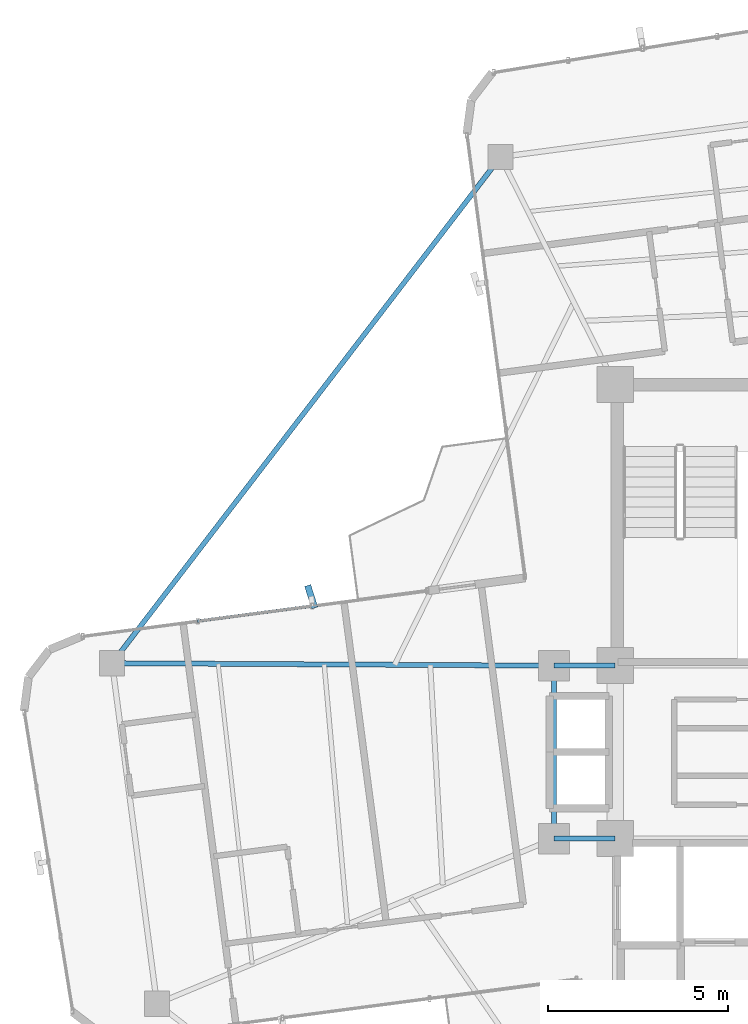
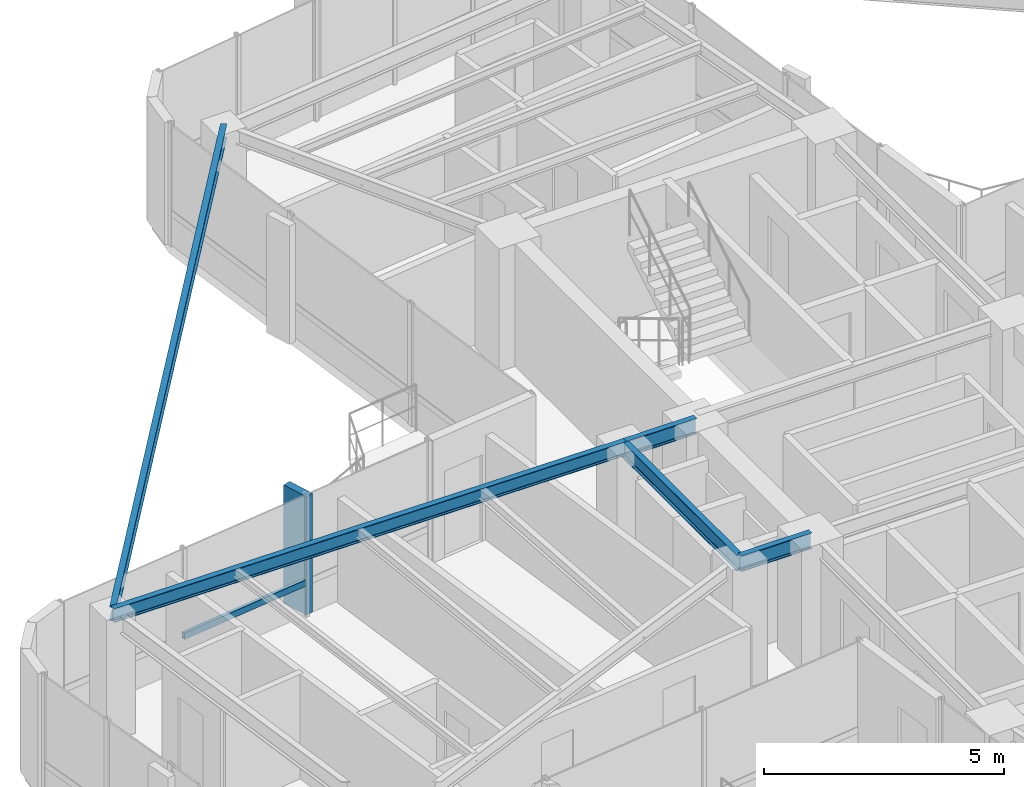
# One storey, part 8 of 22: 5 beams, 2 members, 1 element without a shape of its own.
"""IFC4 building model written with IfcOpenShell, lengths in metres."""

from ifc_helpers import new_model, si_unit, direction, frame, origin, origin_2d, place, context, subcontext, project, spatial, rectangle, hollow_rectangle, i_section, extrude, source, transform, mapped, material, material_profile, profile_set, type_object, element, aggregate, save


model = new_model("IFC4")

# Units and contexts
model_context = context("Model", 3, precision=1e-05, world=origin(), true_north=direction((0.0, 1.0)))
body_context = subcontext(model_context, "Body", "Model", "MODEL_VIEW")
ifc_project = project(units=[si_unit("LENGTHUNIT", "METRE"), si_unit("AREAUNIT", "SQUARE_METRE"), si_unit("VOLUMEUNIT", "CUBIC_METRE"), si_unit("PLANEANGLEUNIT", "RADIAN"), si_unit("MASSUNIT", "GRAM", prefix="KILO")], contexts=[model_context])

# Site, building, storey
site_placement = place(None, origin())
site = spatial("IfcSite", under=ifc_project, at=site_placement, CompositionType="ELEMENT")
building_placement = place(site_placement, origin())
building = spatial("IfcBuilding", under=site, at=building_placement, Name="Sahyath Konkavel Grand Hotel", CompositionType="ELEMENT")
storey_placement = place(building_placement, frame((0.0, 0.0, 244.5)))
storey = spatial("IfcBuildingStorey", under=building, at=storey_placement, Name="L68", CompositionType="ELEMENT", Elevation=244.5)

# Beams
ifc_material_1 = material(Name="Steel E350", Category="steel")
ifc_material_profile_1 = material_profile(ifc_material_1, i_section(OverallWidth=0.139892578125, OverallDepth=0.39990234375, WebThickness=0.0087890625, FlangeThickness=0.01611328125, FilletRadius=0.013916015625, at=origin_2d()), Name="ISMB 400")
ifc_profile_set_1 = profile_set([ifc_material_profile_1], Name="Steel E350")
beam_type_1 = type_object("IfcBeamType", Name="BM-ISMB400", PredefinedType="BEAM", material=ifc_profile_set_1)
shared_shape_1 = source(origin(), body_context, "Body", "SweptSolid", [
    extrude(i_section(OverallWidth=0.139892578125, OverallDepth=0.39990234375, WebThickness=0.0087890625, FlangeThickness=0.01611328125, FilletRadius=0.013916015625, at=origin_2d()), origin(), (0.0, 0.0, 1.0), 1.699951171875),
])
for number, where, z_axis, x_axis, name in (
    (1, (-5.5, 2.39990234375, 2.909912109375), (1.0, 0.0, 0.0), (0.0, 1.0, 0.0), "str:bm:L68:HB-NW"),
    (2, (-5.5, -2.39990234375, 2.909912109375), (1.0, 0.0, 0.0), (0.0, 1.0, 0.0), "str:bm:L68:HB-SW"),
):
    element("IfcBeam", number, at=place(storey_placement, frame(where, z_axis=z_axis, x_axis=x_axis)), inside=storey, type_object=beam_type_1, Name=name, PredefinedType="BEAM", context=body_context, shape_type="MappedRepresentation", body=[
        mapped(shared_shape_1, transform((0.0, 0.0, 0.0), scale=1.0)),
    ])
shared_shape_2 = source(origin(), body_context, "Body", "SweptSolid", [
    extrude(i_section(OverallWidth=0.139892578125, OverallDepth=0.39990234375, WebThickness=0.0087890625, FlangeThickness=0.01611328125, FilletRadius=0.013916015625, at=origin_2d()), origin(), (0.0, 0.0, 1.0), 4.7998046875),
])
beam_1_placement = place(storey_placement, frame((-5.5, -2.39990234375, 2.909912109375), z_axis=(0.0, 1.0, 0.0), x_axis=(-1.0, 0.0, 0.0)))
element("IfcBeam", 3, at=beam_1_placement, inside=storey, type_object=beam_type_1, Name="str:bm:L68:HB-W", PredefinedType="BEAM", context=body_context, shape_type="MappedRepresentation", body=[
    mapped(shared_shape_2, transform((0.0, 0.0, 0.0), scale=1.0)),
])
ifc_material_profile_2 = material_profile(ifc_material_1, i_section(OverallWidth=0.139892578125, OverallDepth=0.35009765625, WebThickness=0.008056640625, FlangeThickness=0.01416015625, FilletRadius=0.013916015625, at=origin_2d()), Name="ISMB 350")
ifc_profile_set_2 = profile_set([ifc_material_profile_2], Name="Steel E350")
beam_type_2 = type_object("IfcBeamType", Name="BM-ISMB350", PredefinedType="BEAM", material=ifc_profile_set_2)
shared_shape_3 = source(origin(), body_context, "Body", "SweptSolid", [
    extrude(i_section(OverallWidth=0.139892578125, OverallDepth=0.35009765625, WebThickness=0.008056640625, FlangeThickness=0.01416015625, FilletRadius=0.013916015625, at=origin_2d()), origin(), (0.0, 0.0, 1.0), 12.267578125),
])
beam_2_placement = place(storey_placement, frame((-5.5, 2.39990234375, 2.93505859375), z_axis=(-0.999984139668, 0.005632087717, 0.0), x_axis=(-0.005632087717, -0.999984139668, 0.0)))
element("IfcBeam", 4, at=beam_2_placement, inside=storey, type_object=beam_type_2, Name="L68 Cruciform Radial Girder WA", PredefinedType="BEAM", context=body_context, shape_type="MappedRepresentation", body=[
    mapped(shared_shape_3, transform((0.0, 0.0, 0.0), scale=1.0)),
])
shared_shape_4 = source(origin(), body_context, "Body", "SweptSolid", [
    extrude(i_section(OverallWidth=0.139892578125, OverallDepth=0.35009765625, WebThickness=0.008056640625, FlangeThickness=0.01416015625, FilletRadius=0.013916015625, at=origin_2d()), origin(), (0.0, 0.0, 1.0), 17.71435546875),
])
beam_3_placement = place(storey_placement, frame((-6.9833984375, 16.522705078125, 2.93505859375), z_axis=(-0.608766540595, -0.793349418007, 0.0), x_axis=(0.793349418007, -0.608766540595, 0.0)))
element("IfcBeam", 5, at=beam_3_placement, inside=storey, type_object=beam_type_2, Name="L68 Re-Entrant Tie Beam NW", PredefinedType="BEAM", context=body_context, shape_type="MappedRepresentation", body=[
    mapped(shared_shape_4, transform((0.0, 0.0, 0.0), scale=1.0)),
])

# Curtain wall, members
ifc_material_2 = material(Name="Anodised Bronze Aluminium & Low-E Glazing", Category="aluminium")
curtain_wall_type = type_object("IfcCurtainWallType", Name="CW-ZONE4", PredefinedType="NOTDEFINED", material=ifc_material_2)
curtain_wall_placement = place(storey_placement, origin())
curtain_wall = element("IfcCurtainWall", 6, at=curtain_wall_placement, inside=storey, type_object=curtain_wall_type, Name="L68 Unitised Curtain Wall F16", PredefinedType="NOTDEFINED")
ifc_material_3 = material(Name="Warm Buff Sandstone Cladding on Concrete C50/60", Category="masonry")
ifc_material_profile_3 = material_profile(ifc_material_3, rectangle(XDim=0.179931640625, YDim=0.64990234375, at=origin_2d()), Name="FIN 180x650")
ifc_profile_set_3 = profile_set([ifc_material_profile_3], Name="Warm Buff Sandstone Cladding on Concrete C50/60")
member_type_1 = type_object("IfcMemberType", Name="FIN-SANDSTONE-650", PredefinedType="MULLION", material=ifc_profile_set_3)
shared_shape_5 = source(origin(), body_context, "Body", "SweptSolid", [
    extrude(rectangle(XDim=0.179931640625, YDim=0.64990234375, at=origin_2d()), origin(), (0.0, 0.0, 1.0), 3.010009765625),
])
member_1_placement = place(storey_placement, frame((-12.240478515625, 4.31640625, 0.050048828125), z_axis=(0.0, 0.0, 1.0), x_axis=(0.953032216634, 0.302868938746, 0.0)))
member_1 = element("IfcMember", 7, at=member_1_placement, type_object=member_type_1, Name="L68 Sandstone Vertical Solar Fin FIN F16-1", PredefinedType="MULLION", context=body_context, shape_type="MappedRepresentation", body=[
    mapped(shared_shape_5, transform((0.0, 0.0, 0.0), scale=1.0)),
])
ifc_material_4 = material(Name="Anodised Bronze Aluminium", Category="aluminium")
ifc_material_profile_4 = material_profile(ifc_material_4, hollow_rectangle(XDim=0.080078125, YDim=0.159912109375, WallThickness=0.006103515625, at=origin_2d()), Name="RHS 160x80x6")
ifc_profile_set_4 = profile_set([ifc_material_profile_4], Name="Anodised Bronze Aluminium")
member_type_2 = type_object("IfcMemberType", Name="CW-TRN-160", PredefinedType="USERDEFINED", material=ifc_profile_set_4)
shared_shape_6 = source(origin(), body_context, "Body", "SweptSolid", [
    extrude(hollow_rectangle(XDim=0.080078125, YDim=0.159912109375, WallThickness=0.006103515625, at=origin_2d()), origin(), (0.0, 0.0, 1.0), 3.21533203125),
])
member_2_placement = place(storey_placement, frame((-12.20654296875, 4.05859375, 0.85009765625), z_axis=(-0.9914447303, -0.130527187822, 0.0), x_axis=(0.130527187822, -0.9914447303, 0.0)))
member_2 = element("IfcMember", 8, at=member_2_placement, type_object=member_type_2, Name="L68 Curtain Wall Transom F16-1-spandrel", ObjectType="TRANSOM", PredefinedType="USERDEFINED", context=body_context, shape_type="MappedRepresentation", body=[
    mapped(shared_shape_6, transform((0.0, 0.0, 0.0), scale=1.0)),
])
aggregate(curtain_wall, [member_1, member_2])

save(model, "model.ifc")
